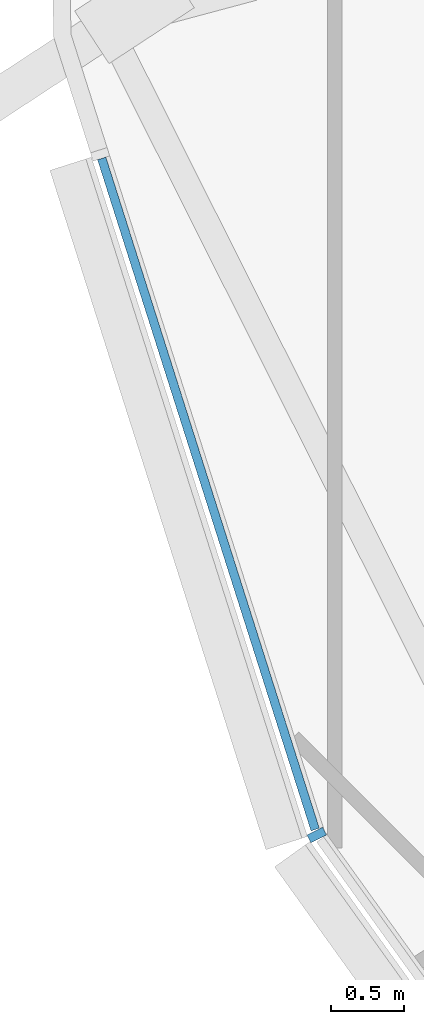
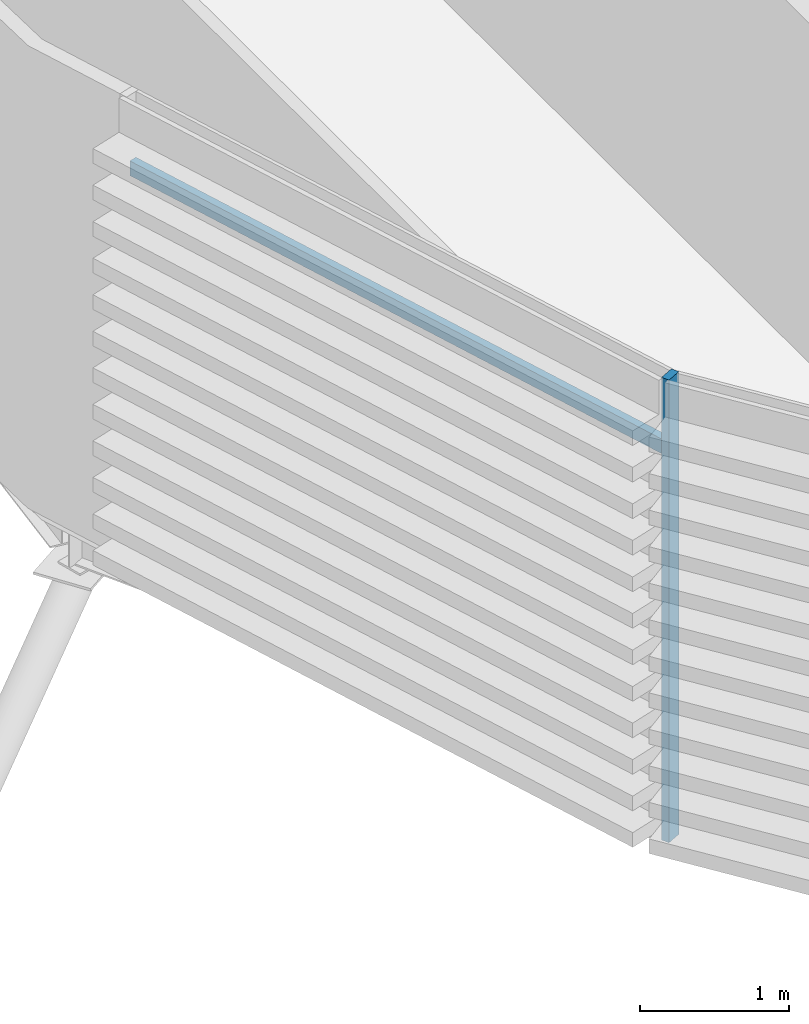
# One storey, part 7 of 37: 2 members, 1 element without a shape of its own.
"""IFC4 building model written with IfcOpenShell, lengths in metres."""

from ifc_helpers import new_model, si_unit, direction, frame, origin, origin_2d, place, context, subcontext, project, spatial, rectangle, extrude, material, material_profile, profile_set, type_object, element, aggregate, save


model = new_model("IFC4")

# Units and contexts
model_context = context("Model", 3, precision=1e-05, world=origin(), true_north=direction((0.0, 1.0)))
body_context = subcontext(model_context, "Body", "Model", "MODEL_VIEW")
ifc_project = project(units=[si_unit("LENGTHUNIT", "METRE"), si_unit("AREAUNIT", "SQUARE_METRE"), si_unit("VOLUMEUNIT", "CUBIC_METRE"), si_unit("PLANEANGLEUNIT", "RADIAN"), si_unit("MASSUNIT", "GRAM", prefix="KILO")], contexts=[model_context])

# Site, building, storey
site_placement = place(None, origin())
site = spatial("IfcSite", under=ifc_project, at=site_placement, CompositionType="ELEMENT")
building_placement = place(site_placement, origin())
building = spatial("IfcBuilding", under=site, at=building_placement, Name="Rimbun Link Towers", CompositionType="ELEMENT")
storey_placement = place(building_placement, frame((0.0, 0.0, 162.699951171875)))
storey = spatial("IfcBuildingStorey", under=building, at=storey_placement, Name="L39", CompositionType="ELEMENT", Elevation=162.699951171875)

# Curtain wall, members
ifc_material_1 = material(Name="Aluminium 6063-T6 and low-iron glass", Category="aluminium")
curtain_wall_type = type_object("IfcCurtainWallType", Name="CW1-Z3 unitised vision wall (zone 3)", PredefinedType="NOTDEFINED", material=ifc_material_1)
curtain_wall_placement = place(storey_placement, origin())
curtain_wall = element("IfcCurtainWall", 1, at=curtain_wall_placement, inside=storey, type_object=curtain_wall_type, Name="CW1 L39 T2", PredefinedType="NOTDEFINED")
ifc_material_2 = material(Name="Aluminium 6063-T6", Category="aluminium")
ifc_material_profile_1 = material_profile(ifc_material_2, rectangle(XDim=0.1201171875, YDim=0.06005859375, at=origin_2d()), Name="MULLION 60X120")
ifc_profile_set_1 = profile_set([ifc_material_profile_1], Name="Aluminium 6063-T6")
member_type_1 = type_object("IfcMemberType", Name="CW1 mullion 60X120", PredefinedType="MULLION", material=ifc_profile_set_1)
member_1_placement = place(storey_placement, frame((12.4296875, -11.150634765625, 0.0), z_axis=(0.0, 0.0, 1.0), x_axis=(-0.893743983929, -0.448577408247, 0.0)))
member_1 = element("IfcMember", 2, at=member_1_placement, type_object=member_type_1, Name="CW1 mullion", PredefinedType="MULLION", context=body_context, shape_type="SweptSolid", body=[
    extrude(rectangle(XDim=0.1201171875, YDim=0.06005859375, at=origin_2d()), origin(), (0.0, 0.0, 1.0), 3.800048828125),
])
ifc_material_3 = material(Name="Aluminium 6063-T6", Category="aluminium")
ifc_material_profile_2 = material_profile(ifc_material_3, rectangle(XDim=0.06005859375, YDim=0.1201171875, at=origin_2d()), Name="TRANSOM 60X120")
ifc_profile_set_2 = profile_set([ifc_material_profile_2], Name="Aluminium 6063-T6")
member_type_2 = type_object("IfcMemberType", Name="CW1 transom 60X120", PredefinedType="USERDEFINED", material=ifc_profile_set_2)
member_2_placement = place(storey_placement, frame((12.4189453125, -11.112548828125, 3.199951171875), z_axis=(-0.303085321877, 0.952963424095, 0.0), x_axis=(-0.952963424095, -0.303085321877, 0.0)))
member_2 = element("IfcMember", 3, at=member_2_placement, type_object=member_type_2, Name="CW1 transom", ObjectType="TRANSOM", PredefinedType="USERDEFINED", context=body_context, shape_type="SweptSolid", body=[
    extrude(rectangle(XDim=0.06005859375, YDim=0.1201171875, at=origin_2d()), origin(), (0.0, 0.0, 1.0), 4.85400390625),
])
aggregate(curtain_wall, [member_1, member_2])

save(model, "model.ifc")
